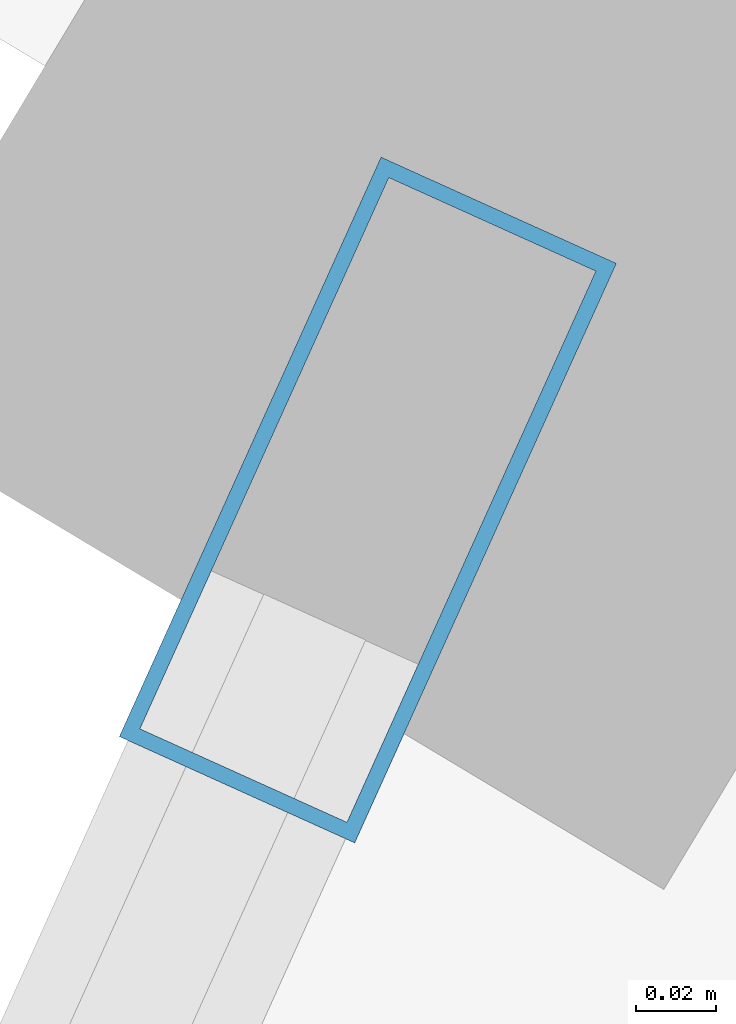
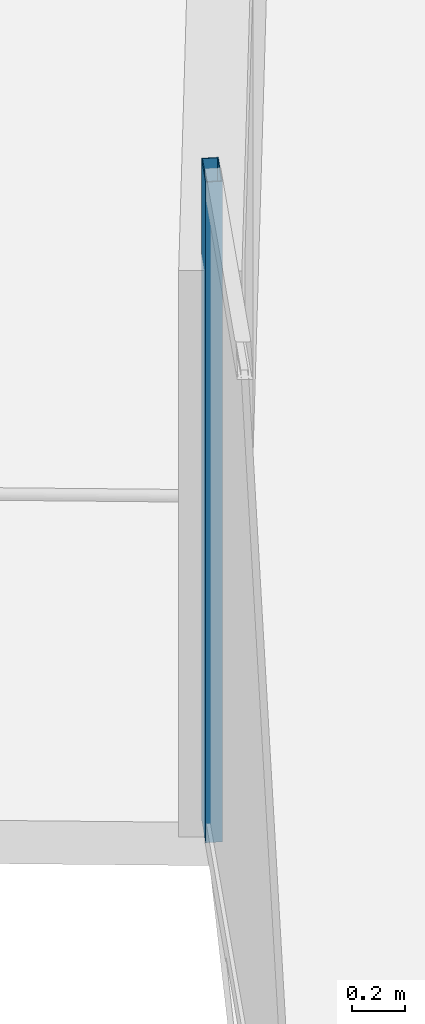
# One storey, part 11 of 33: 1 member, 1 element without a shape of its own.
"""IFC4 building model written with IfcOpenShell, lengths in metres."""

import ifcopenshell
import ifcopenshell.guid

model = None  # the IFC model being written
_history = None  # IfcOwnerHistory: only IFC2X3 demands one
_inside = {}  # id of a spatial element -> (the spatial element, [elements in it])
_under = {}  # id of a project, library or spatial element -> (it, [spatial elements below it])
_declared = {}  # id of a project -> (the project, [libraries it declares])
_typed = {}  # id of a type object -> (the type object, [elements of that type])
_made_of = {}  # id of a material, layer set ... -> (it, [elements and type objects made of it])


def new_model(schema):
    """Start an empty IFC model of exactly this schema.

    Asked for "IFC4X3", IfcOpenShell would pick the latest addendum, in which some entities
    have other attributes; the version numbers below select the first issue.
    IFC2X3 requires an IfcOwnerHistory on every rooted entity: one is made here for all.
    """
    global model, _history
    if schema == "IFC4X3":
        model = ifcopenshell.file(schema_version=(4, 3, 0, 0))
    else:
        model = ifcopenshell.file(schema=schema)
    _inside.clear()
    _under.clear()
    _declared.clear()
    _typed.clear()
    _made_of.clear()
    _history = None
    if model.schema == "IFC2X3":
        org = make("IfcOrganization", Name="unknown")
        user = make(
            "IfcPersonAndOrganization",
            ThePerson=make("IfcPerson", FamilyName="unknown"),
            TheOrganization=org,
        )
        app = make(
            "IfcApplication",
            ApplicationDeveloper=org,
            Version="unknown",
            ApplicationFullName="unknown",
            ApplicationIdentifier="unknown",
        )
        _history = make(
            "IfcOwnerHistory",
            OwningUser=user,
            OwningApplication=app,
            ChangeAction="ADDED",
            CreationDate=0,
        )
    return model


def make(cls, **values):
    """One entity of the class cls with the attributes given. An attribute that is None is left unset."""
    return model.create_entity(
        cls, **{name: value for name, value in values.items() if value is not None}
    )


def rooted(cls, **values):
    """An entity with a GlobalId (a new one), such as an element, a storey or a relation."""
    return make(cls, GlobalId=ifcopenshell.guid.new(), OwnerHistory=_history, **values)


def si_unit(unit_type, name, prefix=None):
    """IfcSIUnit, for example si_unit("LENGTHUNIT", "METRE", prefix="MILLI")."""
    return make("IfcSIUnit", UnitType=unit_type, Prefix=prefix, Name=name)


def assignment(units):
    """IfcUnitAssignment: the units of a project."""
    return None if units is None else make("IfcUnitAssignment", Units=units)


def point(xyz):
    """IfcCartesianPoint."""
    return None if xyz is None else make("IfcCartesianPoint", Coordinates=xyz)


def direction(xyz):
    """IfcDirection."""
    return None if xyz is None else make("IfcDirection", DirectionRatios=xyz)


def frame(location, z_axis=None, x_axis=None):
    """IfcAxis2Placement3D, a coordinate frame: its origin and axes. An axis left out is left unset."""
    return make(
        "IfcAxis2Placement3D",
        Location=point(location),
        Axis=direction(z_axis),
        RefDirection=direction(x_axis),
    )


def frame_2d(location, x_axis=None):
    """IfcAxis2Placement2D, a coordinate frame in the plane: its origin and x axis."""
    return make(
        "IfcAxis2Placement2D", Location=point(location), RefDirection=direction(x_axis)
    )


def origin():
    """The frame at (0, 0, 0) with its axes left unset."""
    return frame((0.0, 0.0, 0.0))


def origin_2d():
    """The frame at (0, 0) in the plane with its x axis left unset."""
    return frame_2d((0.0, 0.0))


def place(relative_to, where):
    """IfcLocalPlacement: puts the frame where relative to a parent placement (None: the world)."""
    return make(
        "IfcLocalPlacement", PlacementRelTo=relative_to, RelativePlacement=where
    )


def context(
    kind, dimensions, precision=None, world=None, true_north=None, identifier=None
):
    """IfcGeometricRepresentationContext, for example the 3D "Model" context."""
    return make(
        "IfcGeometricRepresentationContext",
        ContextIdentifier=identifier,
        ContextType=kind,
        CoordinateSpaceDimension=dimensions,
        Precision=precision,
        WorldCoordinateSystem=world,
        TrueNorth=true_north,
    )


def subcontext(parent, identifier, kind, view, scale=None):
    """IfcGeometricRepresentationSubContext, for example "Body" below "Model"."""
    return make(
        "IfcGeometricRepresentationSubContext",
        ContextIdentifier=identifier,
        ContextType=kind,
        ParentContext=parent,
        TargetScale=scale,
        TargetView=view,
    )


def project(units=None, contexts=None):
    """IfcProject with its units and contexts."""
    return rooted(
        "IfcProject",
        Name="project",
        RepresentationContexts=contexts,
        UnitsInContext=assignment(units),
    )


def spatial(cls, under=None, at=None, **own):
    """A site, building, storey or space (cls), placed at a placement, below another one or the project."""
    s = rooted(cls, ObjectPlacement=at, **own)
    if under is not None:
        _under.setdefault(under.id(), (under, []))[1].append(s)
    return s


def profile(cls, at=None, kind="AREA", **sizes):
    """A parametric profile (cls). Its sizes go by their IFC names, for example OverallWidth=200.0."""
    return make(cls, ProfileType=kind, Position=at, **sizes)


def hollow_rectangle(**sizes):
    """IfcRectangleHollowProfileDef."""
    return profile("IfcRectangleHollowProfileDef", **sizes)


def extrude(swept, where, along, depth):
    """IfcExtrudedAreaSolid: the profile swept, set in the frame where, extruded along a direction by depth."""
    return make(
        "IfcExtrudedAreaSolid",
        SweptArea=swept,
        Position=where,
        ExtrudedDirection=direction(along),
        Depth=depth,
    )


def shape(context_of_items, identifier, shape_type, items):
    """IfcShapeRepresentation: the items that make up one representation, for example the "Body"."""
    return make(
        "IfcShapeRepresentation",
        ContextOfItems=context_of_items,
        RepresentationIdentifier=identifier,
        RepresentationType=shape_type,
        Items=items,
    )


def material(Name=None, Category=None):
    """IfcMaterial."""
    return make("IfcMaterial", Name=Name, Category=Category)


def layer(
    of_material, thickness, ventilated=None, Name=None, Category=None, Priority=None
):
    """IfcMaterialLayer: one layer of a wall or slab, of a material (None: an air gap)."""
    return make(
        "IfcMaterialLayer",
        Material=of_material,
        LayerThickness=thickness,
        IsVentilated=ventilated,
        Name=Name,
        Category=Category,
        Priority=Priority,
    )


def layer_set(layers, Name=None):
    """IfcMaterialLayerSet."""
    return make("IfcMaterialLayerSet", MaterialLayers=layers, LayerSetName=Name)


def material_profile(
    of_material, cross_section, Name=None, Category=None, Priority=None
):
    """IfcMaterialProfile: a cross section and its material."""
    return make(
        "IfcMaterialProfile",
        Name=Name,
        Material=of_material,
        Profile=cross_section,
        Priority=Priority,
        Category=Category,
    )


def profile_set(profiles, Name=None, composite=None):
    """IfcMaterialProfileSet."""
    return make(
        "IfcMaterialProfileSet",
        Name=Name,
        MaterialProfiles=profiles,
        CompositeProfile=composite,
    )


def made_of(thing, what):
    """Note that an element or type object is made of a material, layer set ...; save() writes the relation."""
    if what is not None:
        _made_of.setdefault(what.id(), (what, []))[1].append(thing)
    return thing


def type_object(cls, material=None, **own):
    """A type object (cls), such as IfcWallType, which elements share."""
    return made_of(rooted(cls, **own), material)


def element(
    cls,
    number,
    at=None,
    inside=None,
    cuts=None,
    type_object=None,
    material=None,
    context=None,
    identifier="Body",
    shape_type=None,
    held_by="IfcProductDefinitionShape",
    body=None,
    shapes=None,
    **own,
):
    """One element of the class cls, such as IfcWall. Its Tag is "e" and its number.

    at: its placement. inside: the storey or other place that contains it. cuts: it is an
    opening in that element (IfcRelVoidsElement). A single representation is given by context,
    identifier, shape_type and body (its items); several are given by shapes. held_by: the class
    of the entity that holds the representations. save() writes the other relations.
    """
    e = rooted(cls, Tag="e%d" % number, ObjectPlacement=at, **own)
    if body is not None:
        shapes = [shape(context, identifier, shape_type, body)]
    if shapes is not None:
        e.Representation = make(held_by, Representations=shapes)
    if inside is not None:
        _inside.setdefault(inside.id(), (inside, []))[1].append(e)
    if cuts is not None:
        rooted(
            "IfcRelVoidsElement", RelatingBuildingElement=cuts, RelatedOpeningElement=e
        )
    if type_object is not None:
        _typed.setdefault(type_object.id(), (type_object, []))[1].append(e)
    return made_of(e, material)


def aggregate(whole, parts):
    """IfcRelAggregates: a whole, such as a stair, and the parts it consists of."""
    return rooted("IfcRelAggregates", RelatingObject=whole, RelatedObjects=parts)


def save(model, path):
    """Write the relations noted so far, then the file.

    IfcRelAggregates (storeys below a building ...), IfcRelContainedInSpatialStructure (elements
    in a storey), IfcRelDefinesByType, IfcRelAssociatesMaterial and IfcRelDeclares: one each for
    every whole, place, type object, material and project.
    """
    for whole, parts in _under.values():
        aggregate(whole, parts)
    for where, things in _inside.values():
        rooted(
            "IfcRelContainedInSpatialStructure",
            RelatedElements=things,
            RelatingStructure=where,
        )
    for kind, things in _typed.values():
        rooted("IfcRelDefinesByType", RelatedObjects=things, RelatingType=kind)
    for what, things in _made_of.values():
        rooted("IfcRelAssociatesMaterial", RelatedObjects=things, RelatingMaterial=what)
    for by, libraries in _declared.values():
        rooted("IfcRelDeclares", RelatingContext=by, RelatedDefinitions=libraries)
    model.write(path)


model = new_model("IFC4")

# Units and contexts
model_context = context("Model", 3, precision=1e-05, world=origin(), true_north=direction((0.0, 1.0)))
body_context = subcontext(model_context, "Body", "Model", "MODEL_VIEW")
ifc_project = project(units=[si_unit("LENGTHUNIT", "METRE"), si_unit("AREAUNIT", "SQUARE_METRE"), si_unit("VOLUMEUNIT", "CUBIC_METRE"), si_unit("PLANEANGLEUNIT", "RADIAN"), si_unit("MASSUNIT", "GRAM", prefix="KILO")], contexts=[model_context])

# Site, building, storey
site_placement = place(None, origin())
site = spatial("IfcSite", under=ifc_project, at=site_placement, CompositionType="ELEMENT")
building_placement = place(site_placement, origin())
building = spatial("IfcBuilding", under=site, at=building_placement, Name="Orvanel Arch Residences", CompositionType="ELEMENT")
storey_placement = place(building_placement, frame((0.0, 0.0, 212.89990234375)))
storey = spatial("IfcBuildingStorey", under=building, at=storey_placement, Name="L60", CompositionType="ELEMENT", Elevation=212.89990234375)

# Curtain wall, member
ifc_material = material(Name="Bronze-anodised aluminium AA6063-T6", Category="aluminium")
ifc_layer = layer(ifc_material, 0.175048828125)
ifc_layer_set = layer_set([ifc_layer], Name="Bronze-anodised aluminium AA6063-T6")
curtain_wall_type = type_object("IfcCurtainWallType", Name="CW4-HI-SYS", PredefinedType="NOTDEFINED", material=ifc_layer_set)
curtain_wall_placement = place(storey_placement, origin())
curtain_wall = element("IfcCurtainWall", 1, at=curtain_wall_placement, inside=storey, type_object=curtain_wall_type, Name="L60 CW4-HI-SYS Unitised Curtain Wall", PredefinedType="NOTDEFINED")
ifc_material_profile = material_profile(ifc_material, hollow_rectangle(XDim=0.06494140625, YDim=0.159912109375, WallThickness=0.00390625, at=origin_2d()), Name="ALU160x65x4")
ifc_profile_set = profile_set([ifc_material_profile], Name="Bronze-anodised aluminium AA6063-T6")
member_type = type_object("IfcMemberType", Name="MUL-160x65", PredefinedType="MULLION", material=ifc_profile_set)
member_placement = place(storey_placement, frame((16.046630859375, 24.311279296875, 0.0), z_axis=(0.0, 0.0, 1.0), x_axis=(0.911395859217, -0.411530785971, 0.0)))
member = element("IfcMember", 2, at=member_placement, type_object=member_type, Name="CW-S4 mullion 1", PredefinedType="MULLION", context=body_context, shape_type="SweptSolid", body=[
    extrude(hollow_rectangle(XDim=0.06494140625, YDim=0.159912109375, WallThickness=0.00390625, at=origin_2d()), origin(), (0.0, 0.0, 1.0), 3.06005859375),
])
aggregate(curtain_wall, [member])

save(model, "model.ifc")
